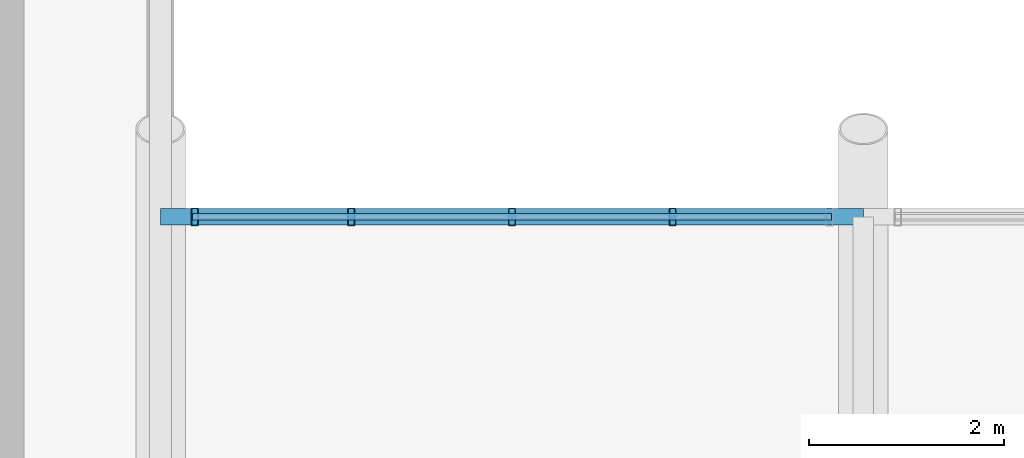
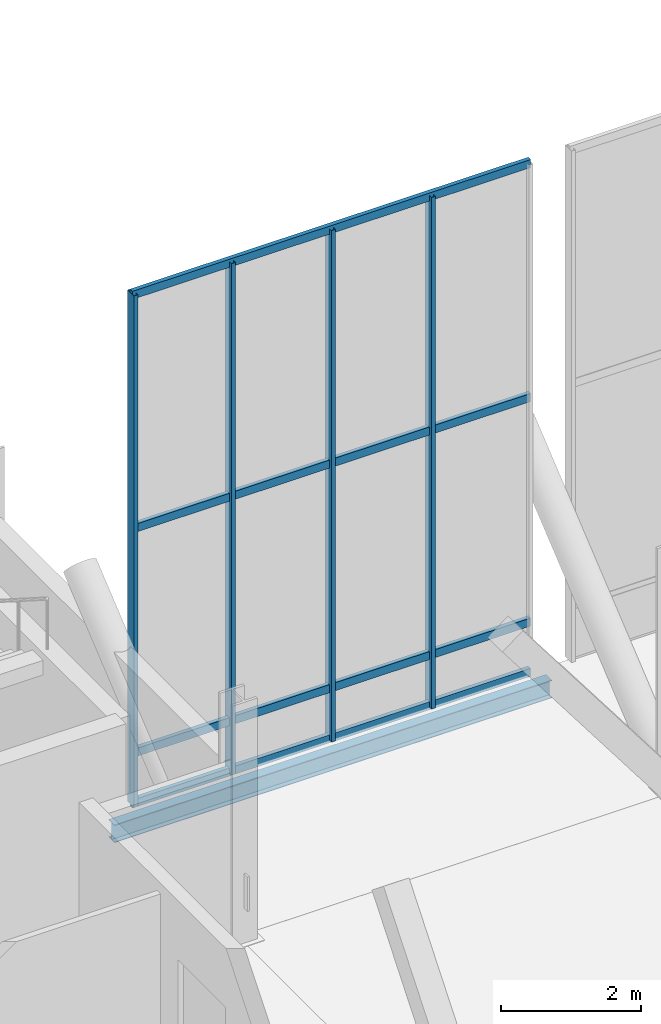
# One storey, part 25 of 102: 8 members, 1 beam, 1 element without a shape of its own.
"""IFC4 building model written with IfcOpenShell, lengths in metres."""

from ifc_helpers import new_model, si_unit, direction, frame, origin, origin_2d, place, context, subcontext, project, spatial, hollow_rectangle, i_section, extrude, material, material_profile, profile_set, type_object, element, aggregate, save


model = new_model("IFC4")

# Units and contexts
model_context = context("Model", 3, precision=1e-05, world=origin(), true_north=direction((0.0, 1.0)))
body_context = subcontext(model_context, "Body", "Model", "MODEL_VIEW")
ifc_project = project(units=[si_unit("LENGTHUNIT", "METRE"), si_unit("AREAUNIT", "SQUARE_METRE"), si_unit("VOLUMEUNIT", "CUBIC_METRE"), si_unit("PLANEANGLEUNIT", "RADIAN"), si_unit("MASSUNIT", "GRAM", prefix="KILO")], contexts=[model_context])

# Site, building, storey
site_placement = place(None, origin())
site = spatial("IfcSite", under=ifc_project, at=site_placement, CompositionType="ELEMENT")
building_placement = place(site_placement, origin())
building = spatial("IfcBuilding", under=site, at=building_placement, Name="Yarey Park Central Fire Station", CompositionType="ELEMENT")
storey_placement = place(building_placement, frame((0.0, 0.0, 6.0)))
storey = spatial("IfcBuildingStorey", under=building, at=storey_placement, Name="L02", CompositionType="ELEMENT", Elevation=6.0)

# Curtain wall, members
ifc_material_1 = material(Name="Anodized Aluminium Frame", Category="aluminium")
curtain_wall_type = type_object("IfcCurtainWallType", Name="ENV_CW_CLER_9M", PredefinedType="NOTDEFINED", material=ifc_material_1)
curtain_wall_placement = place(storey_placement, origin())
curtain_wall = element("IfcCurtainWall", 1, at=curtain_wall_placement, inside=storey, type_object=curtain_wall_type, Name="CW_V2_CLER_S_01", PredefinedType="NOTDEFINED")
ifc_material_profile_1 = material_profile(ifc_material_1, hollow_rectangle(XDim=0.070068359375, YDim=0.179931640625, WallThickness=0.00390625, at=origin_2d()), Name="ALU 180x70x4")
ifc_profile_set_1 = profile_set([ifc_material_profile_1], Name="Anodized Aluminium Frame")
member_type_1 = type_object("IfcMemberType", Name="ENV_CW_MULLION", PredefinedType="MULLION", material=ifc_profile_set_1)
member_1_placement = place(storey_placement, frame((57.949951171875, 61.199951171875, 0.0), z_axis=(0.0, 0.0, 1.0), x_axis=(1.0, 0.0, 0.0)))
member_1 = element("IfcMember", 2, at=member_1_placement, type_object=member_type_1, Name="CW_V2_CLER_S_01_MUL1", PredefinedType="MULLION", context=body_context, shape_type="SweptSolid", body=[
    extrude(hollow_rectangle(XDim=0.070068359375, YDim=0.179931640625, WallThickness=0.00390625, at=origin_2d()), origin(), (0.0, 0.0, 1.0), 8.89990234375),
])
member_2_placement = place(storey_placement, frame((59.554931640625, 61.199951171875, 0.0), z_axis=(0.0, 0.0, 1.0), x_axis=(1.0, 0.0, 0.0)))
member_2 = element("IfcMember", 3, at=member_2_placement, type_object=member_type_1, Name="CW_V2_CLER_S_01_MUL2", PredefinedType="MULLION", context=body_context, shape_type="SweptSolid", body=[
    extrude(hollow_rectangle(XDim=0.070068359375, YDim=0.179931640625, WallThickness=0.00390625, at=origin_2d()), origin(), (0.0, 0.0, 1.0), 8.89990234375),
])
member_3_placement = place(storey_placement, frame((61.199951171875, 61.199951171875, 0.0), z_axis=(0.0, 0.0, 1.0), x_axis=(1.0, 0.0, 0.0)))
member_3 = element("IfcMember", 4, at=member_3_placement, type_object=member_type_1, Name="CW_V2_CLER_S_01_MUL3", PredefinedType="MULLION", context=body_context, shape_type="SweptSolid", body=[
    extrude(hollow_rectangle(XDim=0.070068359375, YDim=0.179931640625, WallThickness=0.00390625, at=origin_2d()), origin(), (0.0, 0.0, 1.0), 8.89990234375),
])
member_4_placement = place(storey_placement, frame((62.844970703125, 61.199951171875, 0.0), z_axis=(0.0, 0.0, 1.0), x_axis=(1.0, 0.0, 0.0)))
member_4 = element("IfcMember", 5, at=member_4_placement, type_object=member_type_1, Name="CW_V2_CLER_S_01_MUL4", PredefinedType="MULLION", context=body_context, shape_type="SweptSolid", body=[
    extrude(hollow_rectangle(XDim=0.070068359375, YDim=0.179931640625, WallThickness=0.00390625, at=origin_2d()), origin(), (0.0, 0.0, 1.0), 8.89990234375),
])
ifc_material_profile_2 = material_profile(ifc_material_1, hollow_rectangle(XDim=0.070068359375, YDim=0.139892578125, WallThickness=0.00390625, at=origin_2d()), Name="ALU 140x70x4")
ifc_profile_set_2 = profile_set([ifc_material_profile_2], Name="Anodized Aluminium Frame")
member_type_2 = type_object("IfcMemberType", Name="ENV_CW_TRANSOM", PredefinedType="USERDEFINED", material=ifc_profile_set_2)
member_5_placement = place(storey_placement, frame((57.925048828125, 61.199951171875, 0.02490234375), z_axis=(1.0, 0.0, 0.0), x_axis=(0.0, 1.0, 0.0)))
member_5 = element("IfcMember", 6, at=member_5_placement, type_object=member_type_2, Name="CW_V2_CLER_S_01_TRN1", ObjectType="TRANSOM", PredefinedType="USERDEFINED", context=body_context, shape_type="SweptSolid", body=[
    extrude(hollow_rectangle(XDim=0.070068359375, YDim=0.139892578125, WallThickness=0.00390625, at=origin_2d()), origin(), (0.0, 0.0, 1.0), 6.550048828125),
])
member_6_placement = place(storey_placement, frame((57.925048828125, 61.199951171875, 0.89990234375), z_axis=(1.0, 0.0, 0.0), x_axis=(0.0, 1.0, 0.0)))
member_6 = element("IfcMember", 7, at=member_6_placement, type_object=member_type_2, Name="CW_V2_CLER_S_01_TRN2", ObjectType="TRANSOM", PredefinedType="USERDEFINED", context=body_context, shape_type="SweptSolid", body=[
    extrude(hollow_rectangle(XDim=0.070068359375, YDim=0.139892578125, WallThickness=0.00390625, at=origin_2d()), origin(), (0.0, 0.0, 1.0), 6.550048828125),
])
member_7_placement = place(storey_placement, frame((57.925048828125, 61.199951171875, 4.805908203125), z_axis=(1.0, 0.0, 0.0), x_axis=(0.0, 1.0, 0.0)))
member_7 = element("IfcMember", 8, at=member_7_placement, type_object=member_type_2, Name="CW_V2_CLER_S_01_TRN3", ObjectType="TRANSOM", PredefinedType="USERDEFINED", context=body_context, shape_type="SweptSolid", body=[
    extrude(hollow_rectangle(XDim=0.070068359375, YDim=0.139892578125, WallThickness=0.00390625, at=origin_2d()), origin(), (0.0, 0.0, 1.0), 6.550048828125),
])
member_8_placement = place(storey_placement, frame((57.925048828125, 61.199951171875, 8.875), z_axis=(1.0, 0.0, 0.0), x_axis=(0.0, 1.0, 0.0)))
member_8 = element("IfcMember", 9, at=member_8_placement, type_object=member_type_2, Name="CW_V2_CLER_S_01_TRN4", ObjectType="TRANSOM", PredefinedType="USERDEFINED", context=body_context, shape_type="SweptSolid", body=[
    extrude(hollow_rectangle(XDim=0.070068359375, YDim=0.139892578125, WallThickness=0.00390625, at=origin_2d()), origin(), (0.0, 0.0, 1.0), 6.550048828125),
])
aggregate(curtain_wall, [member_1, member_2, member_3, member_4, member_5, member_6, member_7, member_8])

# Beam
ifc_material_2 = material(Name="Steel ASTM A992 Gr. 50", Category="steel")
ifc_material_profile_3 = material_profile(ifc_material_2, i_section(OverallWidth=0.1650390625, OverallDepth=0.31005859375, WebThickness=0.005859375, FlangeThickness=0.009765625, at=origin_2d()), Name="W310x39")
ifc_profile_set_3 = profile_set([ifc_material_profile_3], Name="Steel ASTM A992 Gr. 50")
beam_type = type_object("IfcBeamType", Name="STR_SPN_W310", PredefinedType="SPANDREL", material=ifc_profile_set_3)
beam_placement = place(storey_placement, frame((57.60009765625, 61.199951171875, -0.35009765625), z_axis=(1.0, 0.0, 0.0), x_axis=(0.0, 1.0, 0.0)))
element("IfcBeam", 10, at=beam_placement, inside=storey, type_object=beam_type, Name="EAVE EDG S 00", PredefinedType="SPANDREL", context=body_context, shape_type="SweptSolid", body=[
    extrude(i_section(OverallWidth=0.1650390625, OverallDepth=0.31005859375, WebThickness=0.005859375, FlangeThickness=0.009765625, at=origin_2d()), origin(), (0.0, 0.0, 1.0), 7.199951171875),
])

save(model, "model.ifc")
